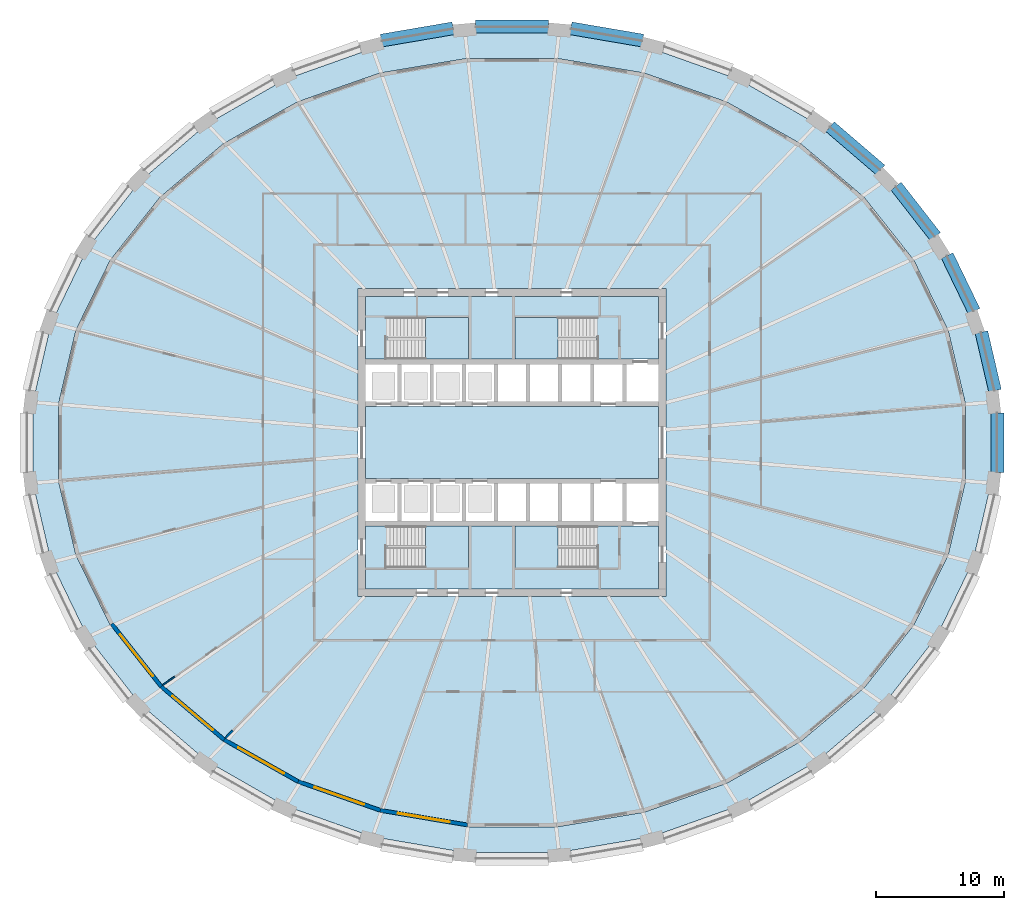
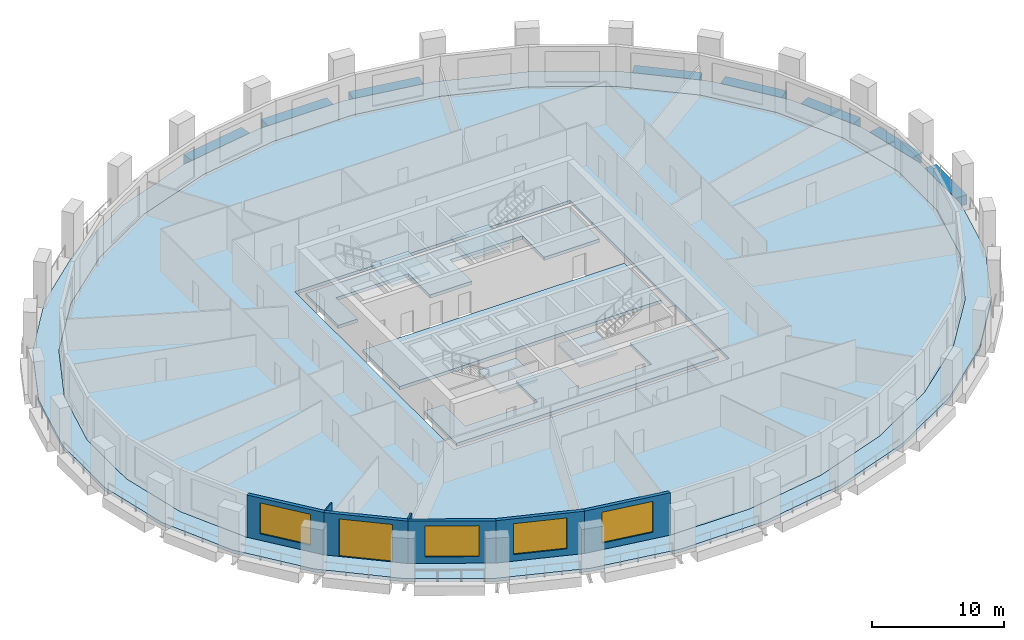
# One storey, part 2 of 12: 9 slabs, 8 beams, 7 walls, 4 windows, 1 door, 5 openings, 4 elements without a shape of their own.
"""IFC4 building model written with IfcOpenShell, lengths in metres."""

from ifc_helpers import new_model, si_unit, direction, frame, frame_2d, origin, origin_2d, place, context, subcontext, project, spatial, polyline, rectangle, outline, extrude, material, layer, layer_set, material_profile, profile_set, type_object, element, fill, aggregate, save


model = new_model("IFC4")

# Units and contexts
model_context = context("Model", 3, precision=1e-05, world=origin(), true_north=direction((0.0, 1.0)))
body_context = subcontext(model_context, "Body", "Model", "MODEL_VIEW")
ifc_project = project(units=[si_unit("LENGTHUNIT", "METRE"), si_unit("AREAUNIT", "SQUARE_METRE"), si_unit("VOLUMEUNIT", "CUBIC_METRE"), si_unit("PLANEANGLEUNIT", "RADIAN"), si_unit("MASSUNIT", "GRAM", prefix="KILO")], contexts=[model_context])

# Site, building, storey
site_placement = place(None, origin())
site = spatial("IfcSite", under=ifc_project, at=site_placement, CompositionType="ELEMENT")
building_placement = place(site_placement, origin())
building = spatial("IfcBuilding", under=site, at=building_placement, Name="Halqa Exchange Tower", CompositionType="ELEMENT")
storey_placement = place(building_placement, frame((0.0, 0.0, 31.89990234375)))
storey = spatial("IfcBuildingStorey", under=building, at=storey_placement, Name="L06", CompositionType="ELEMENT", Elevation=31.89990234375)

# Beams
ifc_material_1 = material(Name="Concrete C60/75", Category="concrete")
ifc_material_profile = material_profile(ifc_material_1, rectangle(XDim=1.0, YDim=0.89990234375, at=origin_2d()), Name="1000 x 900")
ifc_profile_set = profile_set([ifc_material_profile], Name="Concrete C60/75")
beam_type = type_object("IfcBeamType", Name="RC spandrel beam 1000 x 900 C60/75", PredefinedType="SPANDREL", material=ifc_profile_set)
beam_1_placement = place(storey_placement, frame((37.618408203125, 4.04833984375, -0.449951171875), z_axis=(-0.226088096274, 0.974106858986, 0.0), x_axis=(-0.974106858986, -0.226088096274, 0.0)))
element("IfcBeam", 1, at=beam_1_placement, inside=storey, type_object=beam_type, Name="Spandrel 1", PredefinedType="SPANDREL", context=body_context, shape_type="SweptSolid", body=[
    extrude(rectangle(XDim=1.0, YDim=0.89990234375, at=origin_2d()), origin(), (0.0, 0.0, 1.0), 4.672607421875),
])
beam_2_placement = place(storey_placement, frame((35.982177734375, 10.24462890625, -0.449951171875), z_axis=(-0.435100585492, 0.900381852607, 0.0), x_axis=(-0.900381852607, -0.435100585492, 0.0)))
element("IfcBeam", 2, at=beam_2_placement, inside=storey, type_object=beam_type, Name="Spandrel 2", PredefinedType="SPANDREL", context=body_context, shape_type="SweptSolid", body=[
    extrude(rectangle(XDim=1.0, YDim=0.89990234375, at=origin_2d()), origin(), (0.0, 0.0, 1.0), 4.796875),
])
beam_3_placement = place(storey_placement, frame((32.973876953125, 16.045654296875, -0.449951171875), z_axis=(-0.61483301054, 0.788657320482, 0.0), x_axis=(-0.788657320482, -0.61483301054, 0.0)))
element("IfcBeam", 3, at=beam_3_placement, inside=storey, type_object=beam_type, Name="Spandrel 3", PredefinedType="SPANDREL", context=body_context, shape_type="SweptSolid", body=[
    extrude(rectangle(XDim=1.0, YDim=0.89990234375, at=origin_2d()), origin(), (0.0, 0.0, 1.0), 4.97900390625),
])
beam_4_placement = place(storey_placement, frame((28.708984375, 21.2333984375, -0.449951171875), z_axis=(-0.759256602365, 0.650791373456, 0.0), x_axis=(-0.650791373456, -0.759256602365, 0.0)))
element("IfcBeam", 4, at=beam_4_placement, inside=storey, type_object=beam_type, Name="Spandrel 4", PredefinedType="SPANDREL", context=body_context, shape_type="SweptSolid", body=[
    extrude(rectangle(XDim=1.0, YDim=0.89990234375, at=origin_2d()), origin(), (0.0, 0.0, 1.0), 5.18603515625),
])
beam_5_placement = place(storey_placement, frame((10.168212890625, 31.31591796875, -0.449951171875), z_axis=(-0.985772867677, 0.168082876436, 0.0), x_axis=(-0.168082876436, -0.985772867677, 0.0)))
element("IfcBeam", 5, at=beam_5_placement, inside=storey, type_object=beam_type, Name="Spandrel 7", PredefinedType="SPANDREL", context=body_context, shape_type="SweptSolid", body=[
    extrude(rectangle(XDim=1.0, YDim=0.89990234375, at=origin_2d()), origin(), (0.0, 0.0, 1.0), 5.661865234375),
])
beam_6_placement = place(storey_placement, frame((2.85009765625, 32.41455078125, -0.449951171875), z_axis=(-1.0, 0.0, 0.0), x_axis=(0.0, -1.0, 0.0)))
element("IfcBeam", 6, at=beam_6_placement, inside=storey, type_object=beam_type, Name="Spandrel 8", PredefinedType="SPANDREL", context=body_context, shape_type="SweptSolid", body=[
    extrude(rectangle(XDim=1.0, YDim=0.89990234375, at=origin_2d()), origin(), (0.0, 0.0, 1.0), 5.7001953125),
])
beam_7_placement = place(storey_placement, frame((-4.5869140625, 32.267578125, -0.449951171875), z_axis=(-0.985772867677, -0.168082876436, 0.0), x_axis=(0.168082876436, -0.985772867677, 0.0)))
element("IfcBeam", 7, at=beam_7_placement, inside=storey, type_object=beam_type, Name="Spandrel 9", PredefinedType="SPANDREL", context=body_context, shape_type="SweptSolid", body=[
    extrude(rectangle(XDim=1.0, YDim=0.89990234375, at=origin_2d()), origin(), (0.0, 0.0, 1.0), 5.661865234375),
])
beam_8_placement = place(storey_placement, frame((37.81689453125, -2.31396484375, -0.449951171875), z_axis=(0.0, 1.0, 0.0), x_axis=(-1.0, 0.0, 0.0)))
element("IfcBeam", 8, at=beam_8_placement, inside=storey, type_object=beam_type, Name="Spandrel 32", PredefinedType="SPANDREL", context=body_context, shape_type="SweptSolid", body=[
    extrude(rectangle(XDim=1.0, YDim=0.89990234375, at=origin_2d()), origin(), (0.0, 0.0, 1.0), 4.6279296875),
])

# Slabs
ifc_layer_1 = layer(ifc_material_1, 0.300048828125)
ifc_layer_set_1 = layer_set([ifc_layer_1], Name="Concrete C60/75")
slab_type_1 = type_object("IfcSlabType", Name="Core floor slab 300", PredefinedType="FLOOR", material=ifc_layer_set_1)
slab_1_placement = place(storey_placement, frame((0.0, 0.0, -0.2998046875)))
element("IfcSlab", 9, at=slab_1_placement, inside=storey, type_object=slab_type_1, Name="Core floor slab", PredefinedType="FLOOR", context=body_context, shape_type="SweptSolid", body=[
    extrude(outline(polyline([(-11.39990234375, 2.800048828125), (11.39990234375, 2.800048828125), (11.39990234375, -2.800048828125), (-11.39990234375, -2.800048828125), (-11.39990234375, 2.800048828125)])), origin(), (0.0, 0.0, 1.0), 0.2998046875),
])
slab_2_placement = place(storey_placement, frame((0.0, 0.0, -0.2998046875)))
element("IfcSlab", 10, at=slab_2_placement, inside=storey, type_object=slab_type_1, Name="Core floor slab", PredefinedType="FLOOR", context=body_context, shape_type="SweptSolid", body=[
    extrude(outline(polyline([(-11.39990234375, 11.39990234375), (11.39990234375, 11.39990234375), (11.39990234375, 6.5), (6.550048828125, 6.5), (6.550048828125, 9.75), (0.25, 9.75), (0.25, 6.5), (-3.39990234375, 6.5), (-3.39990234375, 9.75), (-9.699951171875, 9.75), (-9.699951171875, 6.5), (-11.39990234375, 6.5), (-11.39990234375, 11.39990234375)])), origin(), (0.0, 0.0, 1.0), 0.2998046875),
])
slab_3_placement = place(storey_placement, frame((0.0, 0.0, -0.2998046875)))
element("IfcSlab", 11, at=slab_3_placement, inside=storey, type_object=slab_type_1, Name="Core floor slab", PredefinedType="FLOOR", context=body_context, shape_type="SweptSolid", body=[
    extrude(outline(polyline([(-9.699951171875, -9.75), (-3.39990234375, -9.75), (-3.39990234375, -6.5), (0.25, -6.5), (0.25, -9.75), (6.550048828125, -9.75), (6.550048828125, -6.5), (11.39990234375, -6.5), (11.39990234375, -11.39990234375), (-11.39990234375, -11.39990234375), (-11.39990234375, -6.5), (-9.699951171875, -6.5), (-9.699951171875, -9.75)])), origin(), (0.0, 0.0, 1.0), 0.2998046875),
])
ifc_material_2 = material(Name="Concrete C40/50", Category="concrete")
ifc_layer_2 = layer(ifc_material_2, 0.300048828125)
ifc_layer_set_2 = layer_set([ifc_layer_2], Name="Concrete C40/50")
slab_type_2 = type_object("IfcSlabType", Name="RC floor slab 300", PredefinedType="FLOOR", material=ifc_layer_set_2)
slab_4_placement = place(storey_placement, frame((0.0, 0.0, -0.2998046875)))
element("IfcSlab", 12, at=slab_4_placement, inside=storey, type_object=slab_type_2, Name="Floor slab", PredefinedType="FLOOR", context=body_context, shape_type="SweptSolid", body=[
    extrude(outline(polyline([(35.33056640625, 2.952880859375), (33.968505859375, 8.743896484375), (31.298828125, 14.19482421875), (27.4267578125, 19.096435546875), (22.502685546875, 23.260986328125), (16.717529296875, 26.5302734375), (10.29296875, 28.781005859375), (3.475341796875, 29.927978515625), (-3.475341796875, 29.927978515625), (-10.29296875, 28.781005859375), (-16.717529296875, 26.5302734375), (-22.502685546875, 23.260986328125), (-27.4267578125, 19.096435546875), (-31.298828125, 14.19482421875), (-33.968505859375, 8.743896484375), (-35.33056640625, 2.952880859375), (-35.33056640625, -2.952880859375), (-33.968505859375, -8.743896484375), (-31.298828125, -14.19482421875), (-27.4267578125, -19.096435546875), (-22.502685546875, -23.260986328125), (-16.717529296875, -26.5302734375), (-10.29296875, -28.781005859375), (-3.475341796875, -29.927978515625), (3.475341796875, -29.927978515625), (10.29296875, -28.781005859375), (16.717529296875, -26.5302734375), (22.502685546875, -23.260986328125), (27.4267578125, -19.096435546875), (31.298828125, -14.19482421875), (33.968505859375, -8.743896484375), (35.33056640625, -2.952880859375), (35.33056640625, 2.952880859375)]), holes=[polyline([(-12.0, -12.0), (12.0, -12.0), (12.0, 12.0), (-12.0, 12.0), (-12.0, -12.0)])]), origin(), (0.0, 0.0, 1.0), 0.2998046875),
])
ifc_layer_3 = layer(ifc_material_2, 0.300048828125)
ifc_layer_set_3 = layer_set([ifc_layer_3], Name="Concrete C40/50")
slab_type_3 = type_object("IfcSlabType", Name="RC loggia slab 300", PredefinedType="FLOOR", material=ifc_layer_set_3)
slab_5_placement = place(storey_placement, frame((0.0, 0.0, -0.2998046875)))
element("IfcSlab", 13, at=slab_5_placement, inside=storey, type_object=slab_type_3, Name="Loggia slab", PredefinedType="FLOOR", context=body_context, shape_type="SweptSolid", body=[
    extrude(outline(polyline([(37.31689453125, 3.13525390625), (37.31689453125, -3.13525390625), (35.88916015625, -9.28759765625), (33.0859375, -15.088623046875), (29.010986328125, -20.316162109375), (23.8173828125, -24.767578125), (17.70361328125, -28.269287109375), (10.904296875, -30.683349609375), (3.682373046875, -31.91455078125), (-3.682373046875, -31.91455078125), (-10.904296875, -30.683349609375), (-17.70361328125, -28.269287109375), (-23.8173828125, -24.767578125), (-29.010986328125, -20.316162109375), (-33.0859375, -15.088623046875), (-35.88916015625, -9.28759765625), (-37.31689453125, -3.13525390625), (-37.31689453125, 3.13525390625), (-35.88916015625, 9.28759765625), (-33.0859375, 15.088623046875), (-29.010986328125, 20.316162109375), (-23.8173828125, 24.767578125), (-17.70361328125, 28.269287109375), (-10.904296875, 30.683349609375), (-3.682373046875, 31.91455078125), (3.682373046875, 31.91455078125), (10.904296875, 30.683349609375), (17.70361328125, 28.269287109375), (23.8173828125, 24.767578125), (29.010986328125, 20.316162109375), (33.0859375, 15.088623046875), (35.88916015625, 9.28759765625), (37.31689453125, 3.13525390625)]), holes=[polyline([(35.33056640625, 2.952880859375), (33.968505859375, 8.743896484375), (31.298828125, 14.19482421875), (27.4267578125, 19.096435546875), (22.502685546875, 23.260986328125), (16.717529296875, 26.5302734375), (10.29296875, 28.781005859375), (3.475341796875, 29.927978515625), (-3.475341796875, 29.927978515625), (-10.29296875, 28.781005859375), (-16.717529296875, 26.5302734375), (-22.502685546875, 23.260986328125), (-27.4267578125, 19.096435546875), (-31.298828125, 14.19482421875), (-33.968505859375, 8.743896484375), (-35.33056640625, 2.952880859375), (-35.33056640625, -2.952880859375), (-33.968505859375, -8.743896484375), (-31.298828125, -14.19482421875), (-27.4267578125, -19.096435546875), (-22.502685546875, -23.260986328125), (-16.717529296875, -26.5302734375), (-10.29296875, -28.781005859375), (-3.475341796875, -29.927978515625), (3.475341796875, -29.927978515625), (10.29296875, -28.781005859375), (16.717529296875, -26.5302734375), (22.502685546875, -23.260986328125), (27.4267578125, -19.096435546875), (31.298828125, -14.19482421875), (33.968505859375, -8.743896484375), (35.33056640625, -2.952880859375), (35.33056640625, 2.952880859375)])]), origin(), (0.0, 0.0, 1.0), 0.2998046875),
])

# Stair, slab
ifc_material_3 = material(Name="Concrete C30/37", Category="concrete")
stair_type = type_object("IfcStairType", Name="Exit stair 1500 wide", PredefinedType="HALF_TURN_STAIR", material=ifc_material_3)
stair_1_placement = place(storey_placement, origin())
stair_1 = element("IfcStair", 14, at=stair_1_placement, inside=storey, type_object=stair_type, Name="Exit stair ST1", PredefinedType="HALF_TURN_STAIR")
ifc_layer_4 = layer(ifc_material_3, 0.199951171875)
ifc_layer_set_4 = layer_set([ifc_layer_4], Name="Concrete C30/37")
slab_type_4 = type_object("IfcSlabType", Name="Stair landing 200 slab", PredefinedType="LANDING", material=ifc_layer_set_4)
slab_6_placement = place(storey_placement, frame((0.0, 0.0, 1.900146484375)))
slab_6 = element("IfcSlab", 15, at=slab_6_placement, type_object=slab_type_4, Name="ST1 landing 1", PredefinedType="LANDING", context=body_context, shape_type="SweptSolid", body=[
    extrude(outline(polyline([(-6.719970703125, 6.5), (-3.39990234375, 6.5), (-3.39990234375, 9.75), (-6.719970703125, 9.75), (-6.719970703125, 6.5)])), origin(), (0.0, 0.0, 1.0), 0.199951171875),
])
aggregate(stair_1, [slab_6])

stair_2_placement = place(storey_placement, origin())
stair_2 = element("IfcStair", 16, at=stair_2_placement, inside=storey, type_object=stair_type, Name="Exit stair ST2", PredefinedType="HALF_TURN_STAIR")
slab_7_placement = place(storey_placement, frame((0.0, 0.0, 1.900146484375)))
slab_7 = element("IfcSlab", 17, at=slab_7_placement, type_object=slab_type_4, Name="ST2 landing 1", PredefinedType="LANDING", context=body_context, shape_type="SweptSolid", body=[
    extrude(outline(polyline([(0.25, 6.5), (3.570068359375, 6.5), (3.570068359375, 9.75), (0.25, 9.75), (0.25, 6.5)])), origin(), (0.0, 0.0, 1.0), 0.199951171875),
])
aggregate(stair_2, [slab_7])

stair_3_placement = place(storey_placement, origin())
stair_3 = element("IfcStair", 18, at=stair_3_placement, inside=storey, type_object=stair_type, Name="Exit stair ST3", PredefinedType="HALF_TURN_STAIR")
slab_8_placement = place(storey_placement, frame((0.0, 0.0, 1.900146484375)))
slab_8 = element("IfcSlab", 19, at=slab_8_placement, type_object=slab_type_4, Name="ST3 landing 1", PredefinedType="LANDING", context=body_context, shape_type="SweptSolid", body=[
    extrude(outline(polyline([(-6.719970703125, -9.75), (-3.39990234375, -9.75), (-3.39990234375, -6.5), (-6.719970703125, -6.5), (-6.719970703125, -9.75)])), origin(), (0.0, 0.0, 1.0), 0.199951171875),
])
aggregate(stair_3, [slab_8])

stair_4_placement = place(storey_placement, origin())
stair_4 = element("IfcStair", 20, at=stair_4_placement, inside=storey, type_object=stair_type, Name="Exit stair ST4", PredefinedType="HALF_TURN_STAIR")
slab_9_placement = place(storey_placement, frame((0.0, 0.0, 1.900146484375)))
slab_9 = element("IfcSlab", 21, at=slab_9_placement, type_object=slab_type_4, Name="ST4 landing 1", PredefinedType="LANDING", context=body_context, shape_type="SweptSolid", body=[
    extrude(outline(polyline([(0.25, -9.75), (3.570068359375, -9.75), (3.570068359375, -6.5), (0.25, -6.5), (0.25, -9.75)])), origin(), (0.0, 0.0, 1.0), 0.199951171875),
])
aggregate(stair_4, [slab_9])

# Walls
ifc_material_4 = material(Name="Fire-rated gypsum board")
ifc_layer_5 = layer(ifc_material_4, 0.14990234375)
ifc_layer_set_5 = layer_set([ifc_layer_5], Name="Fire-rated gypsum board")
wall_type_1 = type_object("IfcWallType", Name="Fire partition EI 60 150", PredefinedType="PARTITIONING", material=ifc_layer_set_5)
wall_1_placement = place(storey_placement, frame((-22.33349609375, -23.017578125, 0.0), z_axis=(0.0, 0.0, 1.0), x_axis=(0.696297301531, 0.717753486846, 0.0)))
element("IfcWall", 22, at=wall_1_placement, inside=storey, type_object=wall_type_1, Name="L06-PWL-002", PredefinedType="PARTITIONING", context=body_context, shape_type="SweptSolid", body=[
    extrude(outline(polyline([(0.0, 0.074951171875), (0.0, 0.07177734375), (0.0048828125, 0.000732421875), (0.024658203125, -0.074951171875), (0.83056640625, -0.074951171875), (0.83056640625, 0.074951171875), (0.0, 0.074951171875)])), origin(), (0.0, 0.0, 1.0), 3.900146484375),
])
ifc_material_5 = material(Name="Gypsum board")
ifc_layer_6 = layer(ifc_material_5, 0.10009765625)
ifc_layer_set_6 = layer_set([ifc_layer_6], Name="Gypsum board")
wall_type_2 = type_object("IfcWallType", Name="Partition 100 gypsum", PredefinedType="PARTITIONING", material=ifc_layer_set_6)
wall_2_placement = place(storey_placement, frame((-26.27099609375, -18.2353515625, 0.0), z_axis=(0.0, 0.0, 1.0), x_axis=(-0.821716387249, -0.56989663881, 0.0)))
element("IfcWall", 23, at=wall_2_placement, inside=storey, type_object=wall_type_2, Name="L06-PWL-049", PredefinedType="PARTITIONING", context=body_context, shape_type="SweptSolid", body=[
    extrude(outline(polyline([(0.0, -0.050048828125), (1.14599609375, -0.050048828125), (1.142822265625, 0.000244140625), (1.12939453125, 0.050048828125), (0.0, 0.050048828125), (0.0, -0.050048828125)])), origin(), (0.0, 0.0, 1.0), 3.900146484375),
])

# Wall, opening, window
ifc_material_6 = material(Name="Limestone cladding", Category="masonry")
ifc_layer_7 = layer(ifc_material_6, 0.0400390625)
ifc_material_7 = material(Name="Ventilated cavity")
ifc_layer_8 = layer(ifc_material_7, 0.030029296875, ventilated=True)
ifc_material_8 = material(Name="Mineral wool insulation")
ifc_layer_9 = layer(ifc_material_8, 0.10009765625)
ifc_layer_10 = layer(ifc_material_3, 0.10009765625)
ifc_material_9 = material(Name="Internal plaster")
ifc_layer_11 = layer(ifc_material_9, 0.030029296875)
ifc_layer_set_7 = layer_set([ifc_layer_7, ifc_layer_8, ifc_layer_9, ifc_layer_10, ifc_layer_11], Name="Stone-faced insulated wall 300")
wall_type_3 = type_object("IfcWallType", Name="Stone-faced insulated wall 300", PredefinedType="STANDARD", material=ifc_layer_set_7)
wall_3_placement = place(storey_placement, frame((-31.17138671875, -14.114501953125, 0.0), z_axis=(0.0, 0.0, 1.0), x_axis=(0.619902786528, -0.784678619089, 0.0)))
wall_3 = element("IfcWall", 24, at=wall_3_placement, inside=storey, type_object=wall_type_3, Name="Glass-line wall 19", PredefinedType="STANDARD", context=body_context, shape_type="SweptSolid", body=[
    extrude(outline(polyline([(-0.01611328125, -0.14990234375), (6.230712890625, -0.14990234375), (6.200439453125, 0.14990234375), (0.01611328125, 0.14990234375), (-0.01611328125, -0.14990234375)])), origin(), (0.0, 0.0, 1.0), 3.900146484375),
])
opening_1_placement = place(wall_3_placement, frame((1.0576171875, 0.0, 0.60009765625)))
opening_1 = element("IfcOpeningElement", 25, at=opening_1_placement, cuts=wall_3, Name="Opening W-F1-19", PredefinedType="OPENING", context=body_context, shape_type="SweptSolid", body=[
    extrude(rectangle(XDim=4.10009765625, YDim=2.85009765625, at=frame_2d((2.050048828125, 1.425048828125))), frame((0.0, 0.162109375, 0.0), z_axis=(0.0, -1.0, 0.0), x_axis=(1.0, 0.0, 0.0)), (0.0, 0.0, 1.0), 0.323974609375),
])
ifc_material_10 = material(Name="Clear low-emissivity glass in aluminium frame", Category="aluminium")
window_type = type_object("IfcWindowType", Name="Fixed clear glazed window 4100 x 2850", PartitioningType="TRIPLE_PANEL_VERTICAL", PredefinedType="WINDOW", material=ifc_material_10)
window_1_placement = place(opening_1_placement, origin())
window_1 = element("IfcWindow", 26, at=window_1_placement, inside=storey, type_object=window_type, Name="Window 1", OverallHeight=2.85009765625, OverallWidth=4.10009765625, PartitioningType="TRIPLE_PANEL_VERTICAL", PredefinedType="WINDOW", context=body_context, shape_type="SweptSolid", body=[
    extrude(rectangle(XDim=4.10009765625, YDim=2.85009765625, at=frame_2d((2.050048828125, 1.425048828125))), frame((0.0, 0.030029296875, 0.0), z_axis=(0.0, -1.0, 0.0), x_axis=(1.0, 0.0, 0.0)), (0.0, 0.0, 1.0), 0.06005859375),
])
fill(opening_1, window_1)

# Wall, opening, door
wall_4_placement = place(storey_placement, frame((-27.318359375, -18.99169921875, 0.0), z_axis=(0.0, 0.0, 1.0), x_axis=(0.763540615407, -0.645759807223, 0.0)))
wall_4 = element("IfcWall", 27, at=wall_4_placement, inside=storey, type_object=wall_type_3, Name="Glass-line wall 20", PredefinedType="STANDARD", context=body_context, shape_type="SweptSolid", body=[
    extrude(outline(polyline([(-0.01513671875, -0.14990234375), (6.433837890625, -0.14990234375), (6.405517578125, 0.14990234375), (0.01513671875, 0.14990234375), (-0.01513671875, -0.14990234375)])), origin(), (0.0, 0.0, 1.0), 3.900146484375),
])
opening_2_placement = place(wall_4_placement, frame((1.159912109375, 0.0, 0.0)))
opening_2 = element("IfcOpeningElement", 28, at=opening_2_placement, cuts=wall_4, Name="Opening LG-F1-05", PredefinedType="OPENING", context=body_context, shape_type="SweptSolid", body=[
    extrude(rectangle(XDim=4.10009765625, YDim=3.449951171875, at=frame_2d((2.050048828125, 1.72509765625))), frame((0.0, 0.162109375, 0.0), z_axis=(0.0, -1.0, 0.0), x_axis=(1.0, 0.0, 0.0)), (0.0, 0.0, 1.0), 0.323974609375),
])
door_type = type_object("IfcDoorType", Name="Glazed sliding loggia door 4100 x 3450", OperationType="DOUBLE_DOOR_SLIDING", PredefinedType="DOOR", material=ifc_material_10)
door_placement = place(opening_2_placement, origin())
door = element("IfcDoor", 29, at=door_placement, inside=storey, type_object=door_type, Name="Loggia door 5", OperationType="DOUBLE_DOOR_SLIDING", OverallHeight=3.449951171875, OverallWidth=4.10009765625, PredefinedType="DOOR", context=body_context, shape_type="SweptSolid", body=[
    extrude(rectangle(XDim=4.10009765625, YDim=3.449951171875, at=frame_2d((2.050048828125, 1.72509765625))), frame((0.0, 0.02490234375, 0.0), z_axis=(0.0, -1.0, 0.0), x_axis=(1.0, 0.0, 0.0)), (0.0, 0.0, 1.0), 0.050048828125),
])
fill(opening_2, door)

# Wall, opening, window
wall_5_placement = place(storey_placement, frame((-22.416748046875, -23.13720703125, 0.0), z_axis=(0.0, 0.0, 1.0), x_axis=(0.8705786416, -0.492029296678, 0.0)))
wall_5 = element("IfcWall", 30, at=wall_5_placement, inside=storey, type_object=wall_type_3, Name="Glass-line wall 21", PredefinedType="STANDARD", context=body_context, shape_type="SweptSolid", body=[
    extrude(outline(polyline([(-0.01416015625, -0.14990234375), (6.631103515625, -0.14990234375), (6.604248046875, 0.14990234375), (0.01416015625, 0.14990234375), (-0.01416015625, -0.14990234375)])), origin(), (0.0, 0.0, 1.0), 3.900146484375),
])
opening_3_placement = place(wall_5_placement, frame((1.2587890625, 0.0, 0.60009765625)))
opening_3 = element("IfcOpeningElement", 31, at=opening_3_placement, cuts=wall_5, Name="Opening W-F1-21", PredefinedType="OPENING", context=body_context, shape_type="SweptSolid", body=[
    extrude(rectangle(XDim=4.10009765625, YDim=2.85009765625, at=frame_2d((2.050048828125, 1.425048828125))), frame((0.0, 0.162109375, 0.0), z_axis=(0.0, -1.0, 0.0), x_axis=(1.0, 0.0, 0.0)), (0.0, 0.0, 1.0), 0.323974609375),
])
window_2_placement = place(opening_3_placement, origin())
window_2 = element("IfcWindow", 32, at=window_2_placement, inside=storey, type_object=window_type, Name="Window 1", OverallHeight=2.85009765625, OverallWidth=4.10009765625, PartitioningType="TRIPLE_PANEL_VERTICAL", PredefinedType="WINDOW", context=body_context, shape_type="SweptSolid", body=[
    extrude(rectangle(XDim=4.10009765625, YDim=2.85009765625, at=frame_2d((2.050048828125, 1.425048828125))), frame((0.0, 0.030029296875, 0.0), z_axis=(0.0, -1.0, 0.0), x_axis=(1.0, 0.0, 0.0)), (0.0, 0.0, 1.0), 0.06005859375),
])
fill(opening_3, window_2)

wall_6_placement = place(storey_placement, frame((-16.655517578125, -26.393310546875, 0.0), z_axis=(0.0, 0.0, 1.0), x_axis=(0.943767392455, -0.330610206947, 0.0)))
wall_6 = element("IfcWall", 33, at=wall_6_placement, inside=storey, type_object=wall_type_3, Name="Glass-line wall 22", PredefinedType="STANDARD", context=body_context, shape_type="SweptSolid", body=[
    extrude(outline(polyline([(-0.013427734375, -0.14990234375), (6.7939453125, -0.14990234375), (6.7685546875, 0.14990234375), (0.013427734375, 0.14990234375), (-0.013427734375, -0.14990234375)])), origin(), (0.0, 0.0, 1.0), 3.900146484375),
])
opening_4_placement = place(wall_6_placement, frame((1.340576171875, 0.0, 0.60009765625)))
opening_4 = element("IfcOpeningElement", 34, at=opening_4_placement, cuts=wall_6, Name="Opening W-F1-22", PredefinedType="OPENING", context=body_context, shape_type="SweptSolid", body=[
    extrude(rectangle(XDim=4.10009765625, YDim=2.85009765625, at=frame_2d((2.050048828125, 1.425048828125))), frame((0.0, 0.162109375, 0.0), z_axis=(0.0, -1.0, 0.0), x_axis=(1.0, 0.0, 0.0)), (0.0, 0.0, 1.0), 0.323974609375),
])
window_3_placement = place(opening_4_placement, origin())
window_3 = element("IfcWindow", 35, at=window_3_placement, inside=storey, type_object=window_type, Name="Window 1", OverallHeight=2.85009765625, OverallWidth=4.10009765625, PartitioningType="TRIPLE_PANEL_VERTICAL", PredefinedType="WINDOW", context=body_context, shape_type="SweptSolid", body=[
    extrude(rectangle(XDim=4.10009765625, YDim=2.85009765625, at=frame_2d((2.050048828125, 1.425048828125))), frame((0.0, 0.030029296875, 0.0), z_axis=(0.0, -1.0, 0.0), x_axis=(1.0, 0.0, 0.0)), (0.0, 0.0, 1.0), 0.06005859375),
])
fill(opening_4, window_3)

wall_7_placement = place(storey_placement, frame((-10.255615234375, -28.63525390625, 0.0), z_axis=(0.0, 0.0, 1.0), x_axis=(0.986141805867, -0.165904607291, 0.0)))
wall_7 = element("IfcWall", 36, at=wall_7_placement, inside=storey, type_object=wall_type_3, Name="Glass-line wall 23", PredefinedType="STANDARD", context=body_context, shape_type="SweptSolid", body=[
    extrude(outline(polyline([(-0.0126953125, -0.14990234375), (6.90087890625, -0.14990234375), (6.8759765625, 0.14990234375), (0.0126953125, 0.14990234375), (-0.0126953125, -0.14990234375)])), origin(), (0.0, 0.0, 1.0), 3.900146484375),
])
opening_5_placement = place(wall_7_placement, frame((1.39404296875, 0.0, 0.60009765625)))
opening_5 = element("IfcOpeningElement", 37, at=opening_5_placement, cuts=wall_7, Name="Opening W-F1-23", PredefinedType="OPENING", context=body_context, shape_type="SweptSolid", body=[
    extrude(rectangle(XDim=4.10009765625, YDim=2.85009765625, at=frame_2d((2.050048828125, 1.425048828125))), frame((0.0, 0.162109375, 0.0), z_axis=(0.0, -1.0, 0.0), x_axis=(1.0, 0.0, 0.0)), (0.0, 0.0, 1.0), 0.323974609375),
])
window_4_placement = place(opening_5_placement, origin())
window_4 = element("IfcWindow", 38, at=window_4_placement, inside=storey, type_object=window_type, Name="Window 1", OverallHeight=2.85009765625, OverallWidth=4.10009765625, PartitioningType="TRIPLE_PANEL_VERTICAL", PredefinedType="WINDOW", context=body_context, shape_type="SweptSolid", body=[
    extrude(rectangle(XDim=4.10009765625, YDim=2.85009765625, at=frame_2d((2.050048828125, 1.425048828125))), frame((0.0, 0.030029296875, 0.0), z_axis=(0.0, -1.0, 0.0), x_axis=(1.0, 0.0, 0.0)), (0.0, 0.0, 1.0), 0.06005859375),
])
fill(opening_5, window_4)

save(model, "model.ifc")
